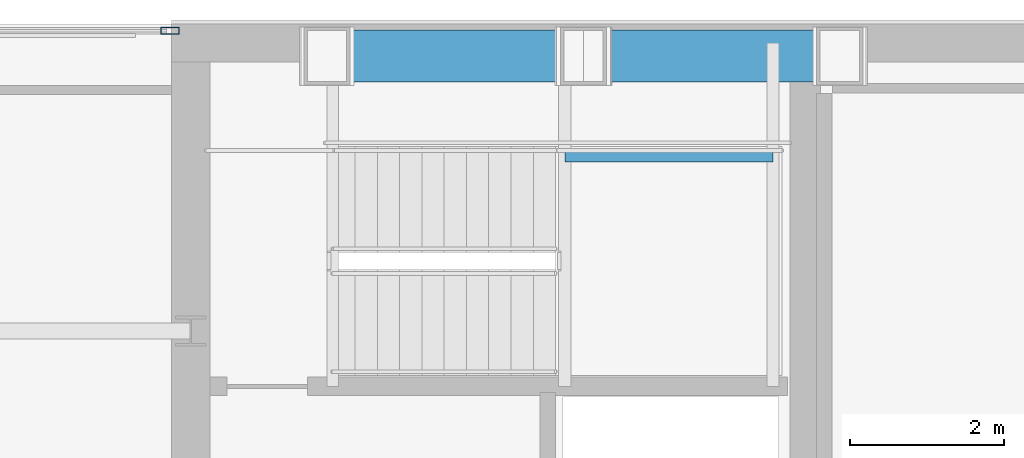
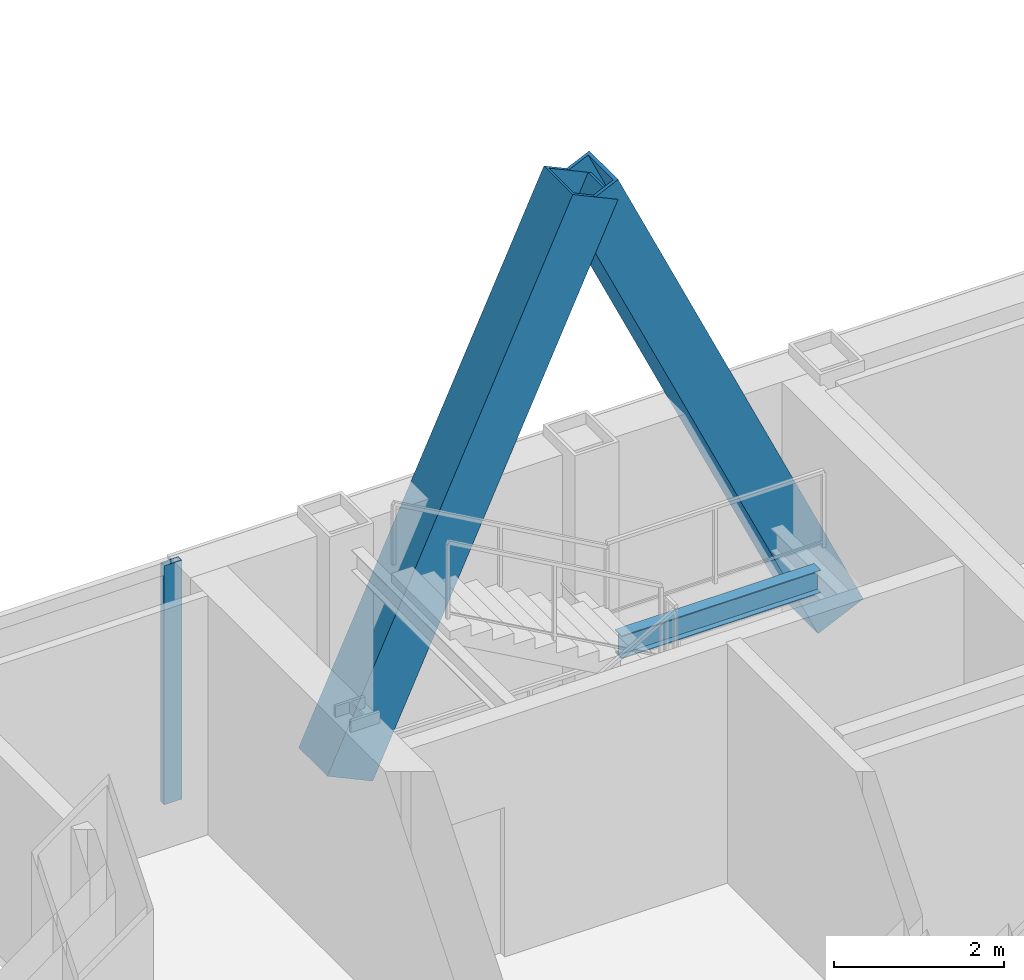
# One storey, part 21 of 30: 3 members, 1 beam, 1 element without a shape of its own.
"""IFC4 building model written with IfcOpenShell, lengths in metres."""

from ifc_helpers import new_model, si_unit, direction, frame, origin, origin_2d, place, context, subcontext, project, spatial, hollow_rectangle, i_section, extrude, material, material_profile, profile_set, type_object, element, aggregate, save


model = new_model("IFC4")

# Units and contexts
model_context = context("Model", 3, precision=1e-05, world=origin(), true_north=direction((0.0, 1.0)))
body_context = subcontext(model_context, "Body", "Model", "MODEL_VIEW")
ifc_project = project(units=[si_unit("LENGTHUNIT", "METRE"), si_unit("AREAUNIT", "SQUARE_METRE"), si_unit("VOLUMEUNIT", "CUBIC_METRE"), si_unit("PLANEANGLEUNIT", "RADIAN"), si_unit("MASSUNIT", "GRAM", prefix="KILO")], contexts=[model_context])

# Site, building, storey
site_placement = place(None, origin())
site = spatial("IfcSite", under=ifc_project, at=site_placement, CompositionType="ELEMENT")
building_placement = place(site_placement, origin())
building = spatial("IfcBuilding", under=site, at=building_placement, Name="Khoronbel Lancet Exchange", CompositionType="ELEMENT")
storey_placement = place(building_placement, frame((0.0, 0.0, 284.199951171875)))
storey = spatial("IfcBuildingStorey", under=building, at=storey_placement, Name="L73", CompositionType="ELEMENT", Elevation=284.199951171875)

# Beam
ifc_material_1 = material(Name="Steel S355", Category="steel")
ifc_material_profile_1 = material_profile(ifc_material_1, i_section(OverallWidth=0.159912109375, OverallDepth=0.330078125, WebThickness=0.007568359375, FlangeThickness=0.011474609375, at=origin_2d()), Name="IPE 330")
ifc_profile_set_1 = profile_set([ifc_material_profile_1], Name="Steel S355")
beam_type = type_object("IfcBeamType", Name="BM-BJ7", PredefinedType="JOIST", material=ifc_profile_set_1)
beam_placement = place(storey_placement, frame((21.320068359375, 51.97998046875, 1.43505859375), z_axis=(1.0, 0.0, 0.0), x_axis=(0.0, 1.0, 0.0)))
element("IfcBeam", 1, at=beam_placement, inside=storey, type_object=beam_type, Name="Level L73 stair ST1 landing cross trimmer beam 1", PredefinedType="JOIST", context=body_context, shape_type="SweptSolid", body=[
    extrude(i_section(OverallWidth=0.159912109375, OverallDepth=0.330078125, WebThickness=0.007568359375, FlangeThickness=0.011474609375, at=origin_2d()), origin(), (0.0, 0.0, 1.0), 2.7099609375),
])

# Curtain wall, member
ifc_material_2 = material(Name="Low-E Solar Control Insulating Glass", Category="glass")
curtain_wall_type = type_object("IfcCurtainWallType", Name="CW-3", PredefinedType="NOTDEFINED", material=ifc_material_2)
curtain_wall_placement = place(storey_placement, origin())
curtain_wall = element("IfcCurtainWall", 2, at=curtain_wall_placement, inside=storey, type_object=curtain_wall_type, Name="Unitised curtain wall CW-L73-NWFLK", PredefinedType="NOTDEFINED")
ifc_material_3 = material(Name="Bronze-Anodised Aluminium 6063-T6", Category="aluminium")
ifc_material_profile_2 = material_profile(ifc_material_3, hollow_rectangle(XDim=0.0849609375, YDim=0.239990234375, WallThickness=0.006103515625, at=origin_2d()), Name="ALU MULLION 85x240")
ifc_profile_set_2 = profile_set([ifc_material_profile_2], Name="Bronze-Anodised Aluminium 6063-T6")
member_type_1 = type_object("IfcMemberType", Name="MEM-CWM1", PredefinedType="MULLION", material=ifc_profile_set_2)
member_placement = place(storey_placement, frame((16.177490234375, 53.610107421875, 0.0), z_axis=(0.0, 0.0, 1.0), x_axis=(0.0, -1.0, 0.0)))
member = element("IfcMember", 3, at=member_placement, type_object=member_type_1, Name="CW3 mullion 1", PredefinedType="MULLION", context=body_context, shape_type="SweptSolid", body=[
    extrude(hollow_rectangle(XDim=0.0849609375, YDim=0.239990234375, WallThickness=0.006103515625, at=origin_2d()), origin(), (0.0, 0.0, 1.0), 3.43994140625),
])
aggregate(curtain_wall, [member])

# Members
ifc_material_4 = material(Name="Steel S460", Category="steel")
ifc_material_profile_3 = material_profile(ifc_material_4, hollow_rectangle(XDim=0.679931640625, YDim=0.679931640625, WallThickness=0.044921875, at=origin_2d()), Name="BOX 680x680x45")
ifc_profile_set_3 = profile_set([ifc_material_profile_3], Name="Steel S460")
member_type_2 = type_object("IfcMemberType", Name="MEM-MB3", PredefinedType="BRACE", material=ifc_profile_set_3)
for number, where, z_axis, x_axis, name in (
    (4, (18.22509765625, 53.280029296875, 0.0), (0.420548106082, 0.0, 0.907270241147), (0.0, 1.0, 0.0), "Perimeter lancet brace tier 25 N-W-L"),
    (5, (24.89990234375, 53.280029296875, 0.0), (-0.420548106082, 0.0, 0.907270241147), (0.0, -1.0, 0.0), "Perimeter lancet brace tier 25 N-W-R"),
):
    element("IfcMember", number, at=place(storey_placement, frame(where, z_axis=z_axis, x_axis=x_axis)), inside=storey, type_object=member_type_2, Name=name, PredefinedType="BRACE", context=body_context, shape_type="SweptSolid", body=[
        extrude(hollow_rectangle(XDim=0.679931640625, YDim=0.679931640625, WallThickness=0.044921875, at=origin_2d()), origin(), (0.0, 0.0, 1.0), 7.935791015625),
    ])

save(model, "model.ifc")
